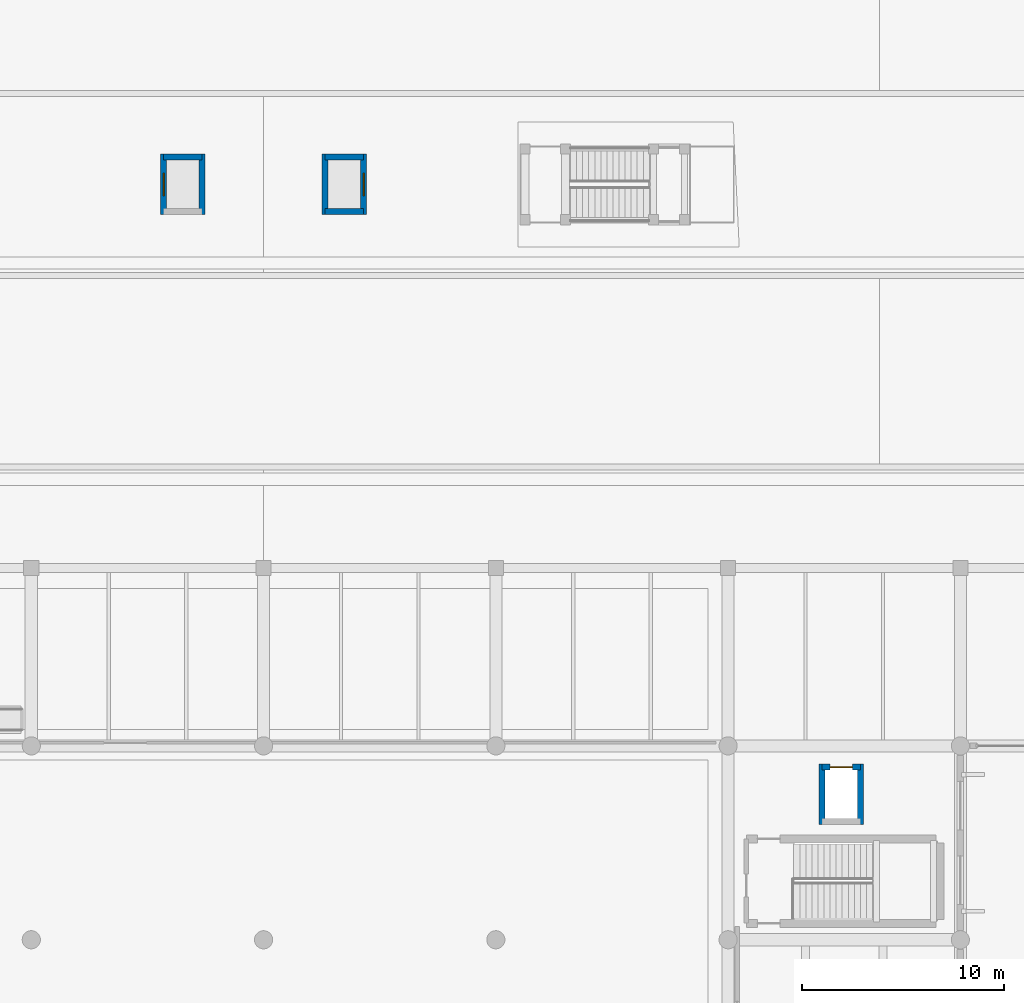
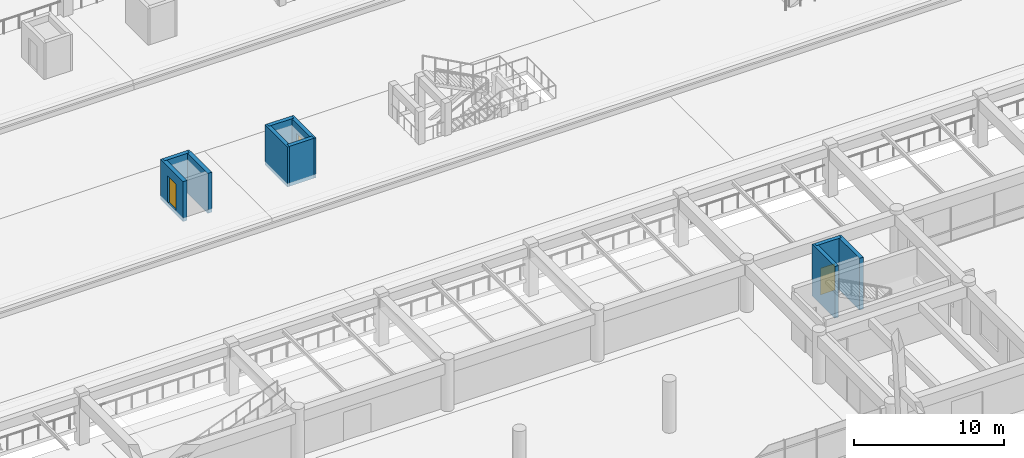
# One storey, part 80 of 109: 10 walls, 3 doors, 3 openings.
"""IFC4 building model written with IfcOpenShell, lengths in metres."""

from ifc_helpers import new_model, si_unit, direction, frame, frame_2d, origin, place, context, subcontext, project, spatial, rectangle, extrude, material, layer, layer_set, type_object, element, fill, save


model = new_model("IFC4")

# Units and contexts
model_context = context("Model", 3, precision=1e-05, world=origin(), true_north=direction((0.0, 1.0)))
body_context = subcontext(model_context, "Body", "Model", "MODEL_VIEW")
ifc_project = project(units=[si_unit("LENGTHUNIT", "METRE"), si_unit("AREAUNIT", "SQUARE_METRE"), si_unit("VOLUMEUNIT", "CUBIC_METRE"), si_unit("PLANEANGLEUNIT", "RADIAN"), si_unit("MASSUNIT", "GRAM", prefix="KILO")], contexts=[model_context])

# Site, building, storey
site_placement = place(None, origin())
site = spatial("IfcSite", under=ifc_project, at=site_placement, CompositionType="ELEMENT")
building_placement = place(site_placement, origin())
building = spatial("IfcBuilding", under=site, at=building_placement, Name="Ologun Quay Terminus", CompositionType="ELEMENT")
storey_placement = place(building_placement, origin())
storey = spatial("IfcBuildingStorey", under=building, at=storey_placement, Name="L00", CompositionType="ELEMENT", Elevation=0.0)

# Wall, opening, door
ifc_material_1 = material(Name="Concrete C40/50", Category="concrete")
ifc_layer = layer(ifc_material_1, 0.300048828125)
ifc_layer_set = layer_set([ifc_layer], Name="Concrete C40/50")
wall_type = type_object("IfcWallType", Name="Lift Shaft Structural Shear Wall 300", PredefinedType="SHEAR", material=ifc_layer_set)
wall_1_placement = place(storey_placement, frame((119.64990234375, 26.14990234375, 0.0), z_axis=(0.0, 0.0, 1.0), x_axis=(1.0, 0.0, 0.0)))
wall_1 = element("IfcWall", 1, at=wall_1_placement, inside=storey, type_object=wall_type, Name="Lift PL-S2 Shaft Wall N L00", PredefinedType="SHEAR", context=body_context, shape_type="SweptSolid", body=[
    extrude(rectangle(XDim=1.900146484375, YDim=0.300048828125, at=frame_2d((0.9501953125, 0.0))), origin(), (0.0, 0.0, 1.0), 4.199951171875),
])
opening_1_placement = place(wall_1_placement, frame((0.39990234375, 0.0, 0.0)))
opening_1 = element("IfcOpeningElement", 2, at=opening_1_placement, cuts=wall_1, Name="Opening ID-054", PredefinedType="OPENING", context=body_context, shape_type="SweptSolid", body=[
    extrude(rectangle(XDim=1.10009765625, YDim=2.14990234375, at=frame_2d((0.550048828125, 1.074951171875))), frame((0.0, 0.16015625, 0.0), z_axis=(0.0, -1.0, 0.0), x_axis=(1.0, 0.0, 0.0)), (0.0, 0.0, 1.0), 0.320068359375),
])
ifc_material_2 = material(Name="Steel S355", Category="steel")
door_type = type_object("IfcDoorType", Name="Lift Landing Sliding Door 1100x2150", OperationType="SLIDING_TO_LEFT", PredefinedType="DOOR", material=ifc_material_2)
door_1_placement = place(opening_1_placement, origin())
door_1 = element("IfcDoor", 3, at=door_1_placement, inside=storey, type_object=door_type, Name="LD-01 Door ID-054", OperationType="SLIDING_TO_LEFT", OverallHeight=2.14990234375, OverallWidth=1.10009765625, PredefinedType="DOOR", context=body_context, shape_type="SweptSolid", body=[
    extrude(rectangle(XDim=1.10009765625, YDim=2.14990234375, at=frame_2d((0.550048828125, 1.074951171875))), frame((0.0, 0.02490234375, 0.0), z_axis=(0.0, -1.0, 0.0), x_axis=(1.0, 0.0, 0.0)), (0.0, 0.0, 1.0), 0.050048828125),
])
fill(opening_1, door_1)

# Walls
for number, where, z_axis, x_axis, name in (
    (4, (119.64990234375, 23.300048828125, 0.0), (0.0, 0.0, 1.0), (0.0, 1.0, 0.0), "Lift PL-S2 Shaft Wall W L00"),
    (5, (121.550048828125, 23.300048828125, 0.0), (0.0, 0.0, 1.0), (0.0, 1.0, 0.0), "Lift PL-S2 Shaft Wall E L00"),
):
    element("IfcWall", number, at=place(storey_placement, frame(where, z_axis=z_axis, x_axis=x_axis)), inside=storey, type_object=wall_type, Name=name, PredefinedType="SHEAR", context=body_context, shape_type="SweptSolid", body=[
        extrude(rectangle(XDim=3.0, YDim=0.300048828125, at=frame_2d((1.5, 0.0))), origin(), (0.0, 0.0, 1.0), 4.199951171875),
    ])
wall_2_placement = place(storey_placement, frame((87.050048828125, 56.35009765625, 0.949951171875), z_axis=(0.0, 0.0, 1.0), x_axis=(1.0, 0.0, 0.0)))
element("IfcWall", 6, at=wall_2_placement, inside=storey, type_object=wall_type, Name="Lift PL-P1 Shaft Wall N L00", PredefinedType="SHEAR", context=body_context, shape_type="SweptSolid", body=[
    extrude(rectangle(XDim=1.89990234375, YDim=0.300048828125, at=frame_2d((0.949951171875, 0.0))), origin(), (0.0, 0.0, 1.0), 3.25),
])

# Wall, opening, door
wall_3_placement = place(storey_placement, frame((87.050048828125, 53.5, 0.949951171875), z_axis=(0.0, 0.0, 1.0), x_axis=(0.0, 1.0, 0.0)))
wall_3 = element("IfcWall", 7, at=wall_3_placement, inside=storey, type_object=wall_type, Name="Lift PL-P1 Shaft Wall W L00", PredefinedType="SHEAR", context=body_context, shape_type="SweptSolid", body=[
    extrude(rectangle(XDim=3.0, YDim=0.300048828125, at=frame_2d((1.5, 0.0))), origin(), (0.0, 0.0, 1.0), 3.25),
])
opening_2_placement = place(wall_3_placement, frame((0.949951171875, 0.0, 0.300048828125)))
opening_2 = element("IfcOpeningElement", 8, at=opening_2_placement, cuts=wall_3, Name="Opening ID-058", PredefinedType="OPENING", context=body_context, shape_type="SweptSolid", body=[
    extrude(rectangle(XDim=1.10009765625, YDim=2.14990234375, at=frame_2d((0.550048828125, 1.074951171875))), frame((0.0, 0.16015625, 0.0), z_axis=(0.0, -1.0, 0.0), x_axis=(1.0, 0.0, 0.0)), (0.0, 0.0, 1.0), 0.320068359375),
])
door_2_placement = place(opening_2_placement, origin())
door_2 = element("IfcDoor", 9, at=door_2_placement, inside=storey, type_object=door_type, Name="LD-01 Door ID-058", OperationType="SLIDING_TO_LEFT", OverallHeight=2.14990234375, OverallWidth=1.10009765625, PredefinedType="DOOR", context=body_context, shape_type="SweptSolid", body=[
    extrude(rectangle(XDim=1.10009765625, YDim=2.14990234375, at=frame_2d((0.550048828125, 1.074951171875))), frame((0.0, 0.02490234375, 0.0), z_axis=(0.0, -1.0, 0.0), x_axis=(1.0, 0.0, 0.0)), (0.0, 0.0, 1.0), 0.050048828125),
])
fill(opening_2, door_2)

# Walls
wall_4_placement = place(storey_placement, frame((88.949951171875, 53.5, 0.949951171875), z_axis=(0.0, 0.0, 1.0), x_axis=(0.0, 1.0, 0.0)))
element("IfcWall", 10, at=wall_4_placement, inside=storey, type_object=wall_type, Name="Lift PL-P1 Shaft Wall E L00", PredefinedType="SHEAR", context=body_context, shape_type="SweptSolid", body=[
    extrude(rectangle(XDim=3.0, YDim=0.300048828125, at=frame_2d((1.5, 0.0))), origin(), (0.0, 0.0, 1.0), 3.25),
])
for number, where, z_axis, x_axis, name in (
    (11, (95.050048828125, 53.64990234375, 0.949951171875), (0.0, 0.0, 1.0), (1.0, 0.0, 0.0), "Lift PL-P2 Shaft Wall S L00"),
    (12, (95.050048828125, 56.35009765625, 0.949951171875), (0.0, 0.0, 1.0), (1.0, 0.0, 0.0), "Lift PL-P2 Shaft Wall N L00"),
):
    element("IfcWall", number, at=place(storey_placement, frame(where, z_axis=z_axis, x_axis=x_axis)), inside=storey, type_object=wall_type, Name=name, PredefinedType="SHEAR", context=body_context, shape_type="SweptSolid", body=[
        extrude(rectangle(XDim=1.89990234375, YDim=0.300048828125, at=frame_2d((0.949951171875, 0.0))), origin(), (0.0, 0.0, 1.0), 3.25),
    ])
wall_5_placement = place(storey_placement, frame((95.050048828125, 53.5, 0.949951171875), z_axis=(0.0, 0.0, 1.0), x_axis=(0.0, 1.0, 0.0)))
element("IfcWall", 13, at=wall_5_placement, inside=storey, type_object=wall_type, Name="Lift PL-P2 Shaft Wall W L00", PredefinedType="SHEAR", context=body_context, shape_type="SweptSolid", body=[
    extrude(rectangle(XDim=3.0, YDim=0.300048828125, at=frame_2d((1.5, 0.0))), origin(), (0.0, 0.0, 1.0), 3.25),
])

# Wall, opening, door
wall_6_placement = place(storey_placement, frame((96.949951171875, 53.5, 0.949951171875), z_axis=(0.0, 0.0, 1.0), x_axis=(0.0, 1.0, 0.0)))
wall_6 = element("IfcWall", 14, at=wall_6_placement, inside=storey, type_object=wall_type, Name="Lift PL-P2 Shaft Wall E L00", PredefinedType="SHEAR", context=body_context, shape_type="SweptSolid", body=[
    extrude(rectangle(XDim=3.0, YDim=0.300048828125, at=frame_2d((1.5, 0.0))), origin(), (0.0, 0.0, 1.0), 3.25),
])
opening_3_placement = place(wall_6_placement, frame((0.949951171875, 0.0, 0.300048828125)))
opening_3 = element("IfcOpeningElement", 15, at=opening_3_placement, cuts=wall_6, Name="Opening ID-060", PredefinedType="OPENING", context=body_context, shape_type="SweptSolid", body=[
    extrude(rectangle(XDim=1.10009765625, YDim=2.14990234375, at=frame_2d((0.550048828125, 1.074951171875))), frame((0.0, 0.16015625, 0.0), z_axis=(0.0, -1.0, 0.0), x_axis=(1.0, 0.0, 0.0)), (0.0, 0.0, 1.0), 0.320068359375),
])
door_3_placement = place(opening_3_placement, origin())
door_3 = element("IfcDoor", 16, at=door_3_placement, inside=storey, type_object=door_type, Name="LD-01 Door ID-060", OperationType="SLIDING_TO_LEFT", OverallHeight=2.14990234375, OverallWidth=1.10009765625, PredefinedType="DOOR", context=body_context, shape_type="SweptSolid", body=[
    extrude(rectangle(XDim=1.10009765625, YDim=2.14990234375, at=frame_2d((0.550048828125, 1.074951171875))), frame((0.0, 0.02490234375, 0.0), z_axis=(0.0, -1.0, 0.0), x_axis=(1.0, 0.0, 0.0)), (0.0, 0.0, 1.0), 0.050048828125),
])
fill(opening_3, door_3)

save(model, "model.ifc")
